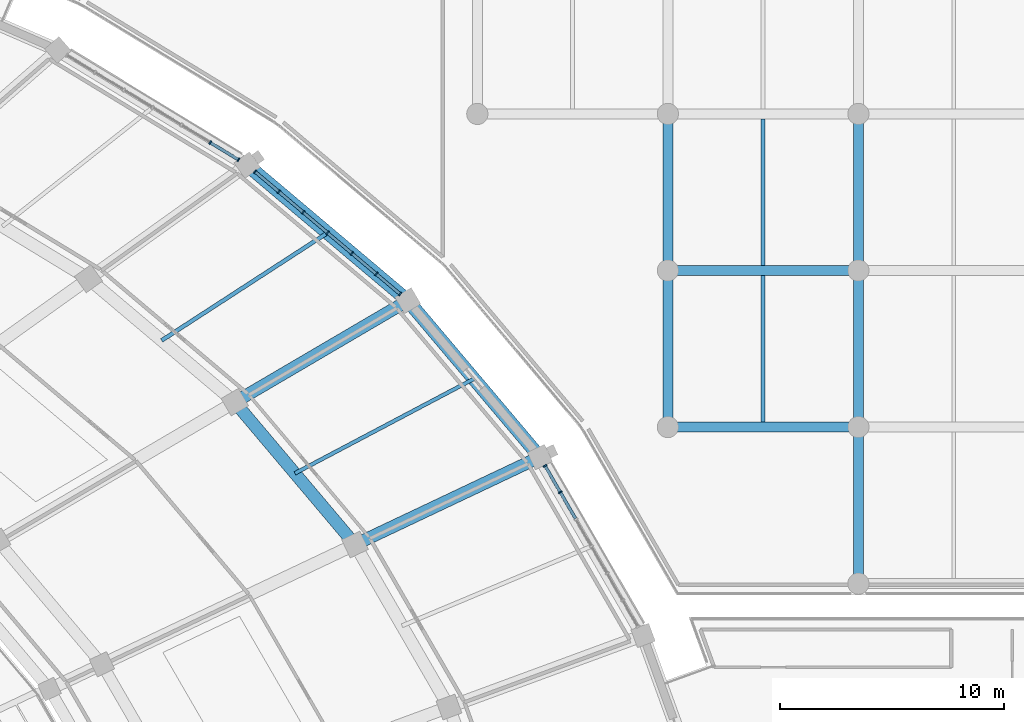
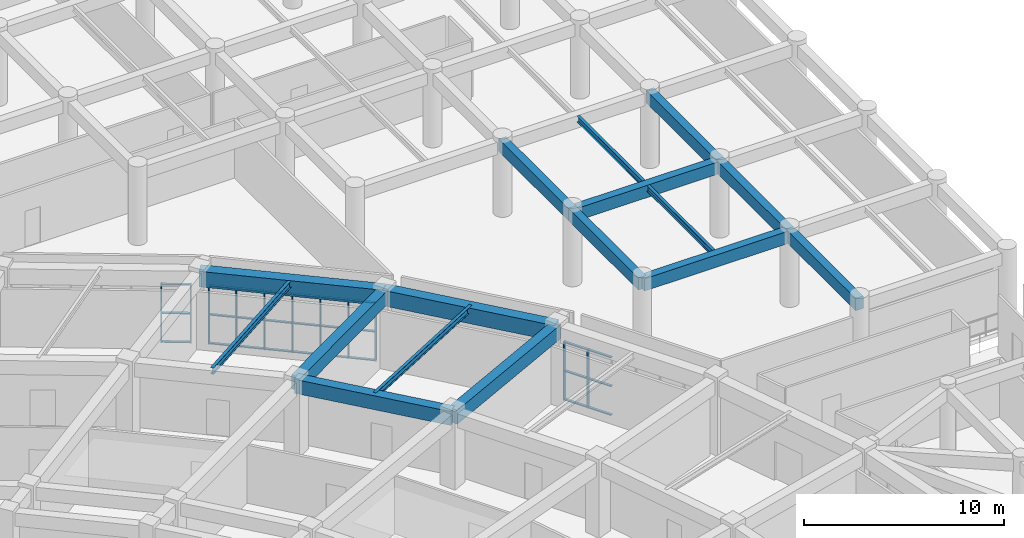
# One storey, part 75 of 152: 38 members, 16 beams, 3 elements without a shape of their own.
"""IFC4 building model written with IfcOpenShell, lengths in metres."""

from ifc_helpers import new_model, si_unit, direction, frame, origin, origin_2d, place, context, subcontext, project, spatial, rectangle, i_section, extrude, material, layer, layer_set, material_profile, profile_set, type_object, element, aggregate, save


model = new_model("IFC4")

# Units and contexts
model_context = context("Model", 3, precision=1e-05, world=origin(), true_north=direction((0.0, 1.0)))
body_context = subcontext(model_context, "Body", "Model", "MODEL_VIEW")
ifc_project = project(units=[si_unit("LENGTHUNIT", "METRE"), si_unit("AREAUNIT", "SQUARE_METRE"), si_unit("VOLUMEUNIT", "CUBIC_METRE"), si_unit("PLANEANGLEUNIT", "RADIAN"), si_unit("MASSUNIT", "GRAM", prefix="KILO")], contexts=[model_context])

# Site, building, storey
site_placement = place(None, origin())
site = spatial("IfcSite", under=ifc_project, at=site_placement, CompositionType="ELEMENT")
building_placement = place(site_placement, origin())
building = spatial("IfcBuilding", under=site, at=building_placement, Name="Mphavela Belvedere Stadium", CompositionType="ELEMENT")
storey_placement = place(building_placement, frame((0.0, 0.0, 5.39990234375)))
storey = spatial("IfcBuildingStorey", under=building, at=storey_placement, Name="L01", CompositionType="ELEMENT", Elevation=5.39990234375)

# Beams
ifc_material_1 = material(Name="Concrete C40/50", Category="concrete")
ifc_material_profile_1 = material_profile(ifc_material_1, rectangle(XDim=0.60009765625, YDim=0.949951171875, at=origin_2d()), Name="RC 600x950")
ifc_profile_set_1 = profile_set([ifc_material_profile_1], Name="Concrete C40/50")
beam_type_1 = type_object("IfcBeamType", Name="BM-ENTABLATURE-950", PredefinedType="SPANDREL", material=ifc_profile_set_1)
beam_1_placement = place(storey_placement, frame((207.242431640625, 130.66162109375, 4.0751953125), z_axis=(-0.645164552218, 0.764043650952, 0.0), x_axis=(-0.764043650952, -0.645164552218, 0.0)))
element("IfcBeam", 1, at=beam_1_placement, inside=storey, type_object=beam_type_1, Name="Circumferential girder L01 R4-05", PredefinedType="SPANDREL", context=body_context, shape_type="SweptSolid", body=[
    extrude(rectangle(XDim=0.60009765625, YDim=0.949951171875, at=origin_2d()), origin(), (0.0, 0.0, 1.0), 9.151123046875),
])
beam_2_placement = place(storey_placement, frame((201.33837890625, 137.653564453125, 4.0751953125), z_axis=(-0.76426547638, 0.644901761212, 0.0), x_axis=(-0.644901761212, -0.76426547638, 0.0)))
element("IfcBeam", 2, at=beam_2_placement, inside=storey, type_object=beam_type_1, Name="Circumferential girder L01 R4-06", PredefinedType="SPANDREL", context=body_context, shape_type="SweptSolid", body=[
    extrude(rectangle(XDim=0.60009765625, YDim=0.949951171875, at=origin_2d()), origin(), (0.0, 0.0, 1.0), 9.3984375),
])
ifc_material_2 = material(Name="Steel S355", Category="steel")
ifc_material_profile_2 = material_profile(ifc_material_2, i_section(OverallWidth=0.169921875, OverallDepth=0.360107421875, WebThickness=0.008056640625, FlangeThickness=0.0126953125, at=origin_2d()), Name="IPE 360")
ifc_profile_set_2 = profile_set([ifc_material_profile_2], Name="Steel S355")
beam_type_2 = type_object("IfcBeamType", Name="BM-JOIST-IPE360", PredefinedType="JOIST", material=ifc_profile_set_2)
beam_3_placement = place(storey_placement, frame((196.2880859375, 129.93115234375, 4.3701171875), z_axis=(0.884250771824, 0.467012390123, 0.0), x_axis=(-0.467012390123, 0.884250771824, 0.0)))
element("IfcBeam", 3, at=beam_3_placement, inside=storey, type_object=beam_type_2, Name="Concourse floor joist L01-05", PredefinedType="JOIST", context=body_context, shape_type="SweptSolid", body=[
    extrude(i_section(OverallWidth=0.169921875, OverallDepth=0.360107421875, WebThickness=0.008056640625, FlangeThickness=0.0126953125, at=origin_2d()), origin(), (0.0, 0.0, 1.0), 9.0498046875),
])
for number, where, z_axis, x_axis, name in (
    (4, (217.221923828125, 132.22509765625, 4.360107421875), (0.0, 1.0, 0.0), (-1.0, 0.0, 0.0), "North Mast and Ceremonial End Forecourt secondary joist L01 26-2"),
    (5, (217.221923828125, 139.22509765625, 4.360107421875), (0.0, 1.0, 0.0), (-1.0, 0.0, 0.0), "North Mast and Ceremonial End Forecourt secondary joist L01 26-3"),
):
    element("IfcBeam", number, at=place(storey_placement, frame(where, z_axis=z_axis, x_axis=x_axis)), inside=storey, type_object=beam_type_2, Name=name, PredefinedType="JOIST", context=body_context, shape_type="SweptSolid", body=[
        extrude(i_section(OverallWidth=0.169921875, OverallDepth=0.360107421875, WebThickness=0.008056640625, FlangeThickness=0.0126953125, at=origin_2d()), origin(), (0.0, 0.0, 1.0), 6.5498046875),
    ])
ifc_material_3 = material(Name="Steel S355", Category="steel")
ifc_material_profile_3 = material_profile(ifc_material_3, i_section(OverallWidth=0.179931640625, OverallDepth=0.39990234375, WebThickness=0.008544921875, FlangeThickness=0.013427734375, at=origin_2d()), Name="IPE 400")
ifc_profile_set_3 = profile_set([ifc_material_profile_3], Name="Steel S355")
beam_type_3 = type_object("IfcBeamType", Name="BM-JOIST-IPE400", PredefinedType="JOIST", material=ifc_profile_set_3)
beam_4_placement = place(storey_placement, frame((190.330810546875, 135.872802734375, 4.35009765625), z_axis=(0.838915278194, 0.544262028818, 0.0), x_axis=(-0.544262028818, 0.838915278194, 0.0)))
element("IfcBeam", 6, at=beam_4_placement, inside=storey, type_object=beam_type_3, Name="Concourse floor joist L01-06", PredefinedType="JOIST", context=body_context, shape_type="SweptSolid", body=[
    extrude(i_section(OverallWidth=0.179931640625, OverallDepth=0.39990234375, WebThickness=0.008544921875, FlangeThickness=0.013427734375, at=origin_2d()), origin(), (0.0, 0.0, 1.0), 8.840087890625),
])
ifc_material_4 = material(Name="Concrete C40/50", Category="concrete")
ifc_material_profile_4 = material_profile(ifc_material_4, rectangle(XDim=0.449951171875, YDim=0.75, at=origin_2d()), Name="RC 450x750")
ifc_profile_set_4 = profile_set([ifc_material_profile_4], Name="Concrete C40/50")
beam_type_4 = type_object("IfcBeamType", Name="BM-RC450x750", PredefinedType="BEAM", material=ifc_profile_set_4)
beam_5_placement = place(storey_placement, frame((212.962890625, 132.0, 4.1650390625), z_axis=(1.0, 0.0, 0.0), x_axis=(0.0, 1.0, 0.0)))
element("IfcBeam", 7, at=beam_5_placement, inside=storey, type_object=beam_type_4, Name="North Mast and Ceremonial End Forecourt entablature beam X L01 26-2", PredefinedType="BEAM", context=body_context, shape_type="SweptSolid", body=[
    extrude(rectangle(XDim=0.449951171875, YDim=0.75, at=origin_2d()), origin(), (0.0, 0.0, 1.0), 8.51806640625),
])
beam_6_placement = place(storey_placement, frame((212.962890625, 132.0, 4.1650390625), z_axis=(0.0, 1.0, 0.0), x_axis=(-1.0, 0.0, 0.0)))
element("IfcBeam", 8, at=beam_6_placement, inside=storey, type_object=beam_type_4, Name="North Mast and Ceremonial End Forecourt entablature beam Y L01 26-2", PredefinedType="BEAM", context=body_context, shape_type="SweptSolid", body=[
    extrude(rectangle(XDim=0.449951171875, YDim=0.75, at=origin_2d()), origin(), (0.0, 0.0, 1.0), 7.0),
])
beam_7_placement = place(storey_placement, frame((212.962890625, 139.0, 4.1650390625), z_axis=(1.0, 0.0, 0.0), x_axis=(0.0, 1.0, 0.0)))
element("IfcBeam", 9, at=beam_7_placement, inside=storey, type_object=beam_type_4, Name="North Mast and Ceremonial End Forecourt entablature beam X L01 26-3", PredefinedType="BEAM", context=body_context, shape_type="SweptSolid", body=[
    extrude(rectangle(XDim=0.449951171875, YDim=0.75, at=origin_2d()), origin(), (0.0, 0.0, 1.0), 8.51806640625),
])
for number, where, z_axis, x_axis, name in (
    (10, (212.962890625, 139.0, 4.1650390625), (0.0, 1.0, 0.0), (-1.0, 0.0, 0.0), "North Mast and Ceremonial End Forecourt entablature beam Y L01 26-3"),
    (11, (221.48095703125, 125.0, 4.1650390625), (0.0, 1.0, 0.0), (-1.0, 0.0, 0.0), "North Mast and Ceremonial End Forecourt entablature beam Y L01 27-1"),
    (12, (221.48095703125, 132.0, 4.1650390625), (0.0, 1.0, 0.0), (-1.0, 0.0, 0.0), "North Mast and Ceremonial End Forecourt entablature beam Y L01 27-2"),
    (13, (221.48095703125, 139.0, 4.1650390625), (0.0, 1.0, 0.0), (-1.0, 0.0, 0.0), "North Mast and Ceremonial End Forecourt entablature beam Y L01 27-3"),
):
    element("IfcBeam", number, at=place(storey_placement, frame(where, z_axis=z_axis, x_axis=x_axis)), inside=storey, type_object=beam_type_4, Name=name, PredefinedType="BEAM", context=body_context, shape_type="SweptSolid", body=[
        extrude(rectangle(XDim=0.449951171875, YDim=0.75, at=origin_2d()), origin(), (0.0, 0.0, 1.0), 7.0),
    ])
ifc_material_5 = material(Name="Concrete C40/50", Category="concrete")
ifc_material_profile_5 = material_profile(ifc_material_5, rectangle(XDim=0.550048828125, YDim=0.85009765625, at=origin_2d()), Name="RC 550x850")
ifc_profile_set_5 = profile_set([ifc_material_profile_5], Name="Concrete C40/50")
beam_type_5 = type_object("IfcBeamType", Name="BM-RC550x850", PredefinedType="BEAM", material=ifc_profile_set_5)
beam_8_placement = place(storey_placement, frame((198.9755859375, 126.748291015625, 4.125), z_axis=(-0.645177396673, 0.764032804808, 0.0), x_axis=(-0.764032804808, -0.645177396673, 0.0)))
element("IfcBeam", 14, at=beam_8_placement, inside=storey, type_object=beam_type_5, Name="Circumferential girder L01 R3-05", PredefinedType="BEAM", context=body_context, shape_type="SweptSolid", body=[
    extrude(rectangle(XDim=0.550048828125, YDim=0.85009765625, at=origin_2d()), origin(), (0.0, 0.0, 1.0), 8.331298828125),
])
beam_9_placement = place(storey_placement, frame((198.9755859375, 126.748291015625, 4.125), z_axis=(0.903845427073, 0.427859140325, 0.0), x_axis=(-0.427859140325, 0.903845427073, 0.0)))
element("IfcBeam", 15, at=beam_9_placement, inside=storey, type_object=beam_type_5, Name="Radial concourse girder L01 R3R4-05", PredefinedType="BEAM", context=body_context, shape_type="SweptSolid", body=[
    extrude(rectangle(XDim=0.550048828125, YDim=0.85009765625, at=origin_2d()), origin(), (0.0, 0.0, 1.0), 9.146240234375),
])
beam_10_placement = place(storey_placement, frame((193.600341796875, 133.11376953125, 4.125), z_axis=(0.862517779395, 0.506026758411, 0.0), x_axis=(-0.506026758411, 0.862517779395, 0.0)))
element("IfcBeam", 16, at=beam_10_placement, inside=storey, type_object=beam_type_5, Name="Radial concourse girder L01 R3R4-06", PredefinedType="BEAM", context=body_context, shape_type="SweptSolid", body=[
    extrude(rectangle(XDim=0.550048828125, YDim=0.85009765625, at=origin_2d()), origin(), (0.0, 0.0, 1.0), 8.971435546875),
])

# Curtain wall, members
ifc_material_6 = material(Name="Anodised bronze unitised curtain wall framing")
ifc_layer_1 = layer(ifc_material_6, 0.18505859375)
ifc_layer_set_1 = layer_set([ifc_layer_1], Name="Anodised bronze unitised curtain wall framing")
curtain_wall_type_1 = type_object("IfcCurtainWallType", Name="CW-UNIT-02", PredefinedType="USERDEFINED", material=ifc_layer_set_1)
curtain_wall_1_placement = place(storey_placement, origin())
curtain_wall_1 = element("IfcCurtainWall", 17, at=curtain_wall_1_placement, inside=storey, type_object=curtain_wall_type_1, Name="Belvedere colonnade curtain wall L01-04", ObjectType="UNITISED CURTAIN WALL", PredefinedType="USERDEFINED")
ifc_material_7 = material(Name="Anodised bronze extruded aluminium", Category="aluminium")
ifc_material_profile_6 = material_profile(ifc_material_7, rectangle(XDim=0.179931640625, YDim=0.06494140625, at=origin_2d()), Name="CW-MUL 180x65")
ifc_profile_set_6 = profile_set([ifc_material_profile_6], Name="Anodised bronze extruded aluminium")
member_type_1 = type_object("IfcMemberType", Name="CWM-180x65", PredefinedType="MULLION", material=ifc_profile_set_6)
member_1_placement = place(storey_placement, frame((208.152587890625, 129.08740234375, 0.0), z_axis=(0.0, 0.0, 1.0), x_axis=(-0.865701507229, -0.500560586125, 0.0)))
member_1 = element("IfcMember", 18, at=member_1_placement, type_object=member_type_1, Name="CW-02 mullion 6", PredefinedType="MULLION", context=body_context, shape_type="SweptSolid", body=[
    extrude(rectangle(XDim=0.179931640625, YDim=0.06494140625, at=origin_2d()), origin(), (0.0, 0.0, 1.0), 3.570068359375),
])
member_2_placement = place(storey_placement, frame((207.470458984375, 130.26708984375, 0.0), z_axis=(0.0, 0.0, 1.0), x_axis=(-0.865701507229, -0.500560586125, 0.0)))
member_2 = element("IfcMember", 19, at=member_2_placement, type_object=member_type_1, Name="CW-02 mullion 7", PredefinedType="MULLION", context=body_context, shape_type="SweptSolid", body=[
    extrude(rectangle(XDim=0.179931640625, YDim=0.06494140625, at=origin_2d()), origin(), (0.0, 0.0, 1.0), 3.570068359375),
])

ifc_material_8 = material(Name="Anodised bronze unitised curtain wall framing")
ifc_layer_2 = layer(ifc_material_8, 0.18994140625)
ifc_layer_set_2 = layer_set([ifc_layer_2], Name="Anodised bronze unitised curtain wall framing")
curtain_wall_type_2 = type_object("IfcCurtainWallType", Name="CW-UNIT-03", PredefinedType="USERDEFINED", material=ifc_layer_set_2)
curtain_wall_2_placement = place(storey_placement, origin())
curtain_wall_2 = element("IfcCurtainWall", 20, at=curtain_wall_2_placement, inside=storey, type_object=curtain_wall_type_2, Name="Belvedere colonnade curtain wall L01-06", ObjectType="UNITISED CURTAIN WALL", PredefinedType="USERDEFINED")
member_3_placement = place(storey_placement, frame((200.990234375, 137.947265625, 0.0), z_axis=(0.0, 0.0, 1.0), x_axis=(-0.644909572272, -0.76425888519, 0.0)))
member_3 = element("IfcMember", 21, at=member_3_placement, type_object=member_type_1, Name="CW-03 mullion 1", PredefinedType="MULLION", context=body_context, shape_type="SweptSolid", body=[
    extrude(rectangle(XDim=0.179931640625, YDim=0.06494140625, at=origin_2d()), origin(), (0.0, 0.0, 1.0), 3.570068359375),
])
member_4_placement = place(storey_placement, frame((199.925537109375, 138.845458984375, 0.0), z_axis=(0.0, 0.0, 1.0), x_axis=(-0.644909572272, -0.76425888519, 0.0)))
member_4 = element("IfcMember", 22, at=member_4_placement, type_object=member_type_1, Name="CW-03 mullion 2", PredefinedType="MULLION", context=body_context, shape_type="SweptSolid", body=[
    extrude(rectangle(XDim=0.179931640625, YDim=0.06494140625, at=origin_2d()), origin(), (0.0, 0.0, 1.0), 3.570068359375),
])
member_5_placement = place(storey_placement, frame((198.836181640625, 139.7646484375, 0.0), z_axis=(0.0, 0.0, 1.0), x_axis=(-0.644909572272, -0.76425888519, 0.0)))
member_5 = element("IfcMember", 23, at=member_5_placement, type_object=member_type_1, Name="CW-03 mullion 3", PredefinedType="MULLION", context=body_context, shape_type="SweptSolid", body=[
    extrude(rectangle(XDim=0.179931640625, YDim=0.06494140625, at=origin_2d()), origin(), (0.0, 0.0, 1.0), 3.570068359375),
])
member_6_placement = place(storey_placement, frame((197.7470703125, 140.68408203125, 0.0), z_axis=(0.0, 0.0, 1.0), x_axis=(-0.644909572272, -0.76425888519, 0.0)))
member_6 = element("IfcMember", 24, at=member_6_placement, type_object=member_type_1, Name="CW-03 mullion 4", PredefinedType="MULLION", context=body_context, shape_type="SweptSolid", body=[
    extrude(rectangle(XDim=0.179931640625, YDim=0.06494140625, at=origin_2d()), origin(), (0.0, 0.0, 1.0), 3.570068359375),
])
member_7_placement = place(storey_placement, frame((196.65771484375, 141.603271484375, 0.0), z_axis=(0.0, 0.0, 1.0), x_axis=(-0.644909572272, -0.76425888519, 0.0)))
member_7 = element("IfcMember", 25, at=member_7_placement, type_object=member_type_1, Name="CW-03 mullion 5", PredefinedType="MULLION", context=body_context, shape_type="SweptSolid", body=[
    extrude(rectangle(XDim=0.179931640625, YDim=0.06494140625, at=origin_2d()), origin(), (0.0, 0.0, 1.0), 3.570068359375),
])
member_8_placement = place(storey_placement, frame((195.568359375, 142.5224609375, 0.0), z_axis=(0.0, 0.0, 1.0), x_axis=(-0.644909572272, -0.76425888519, 0.0)))
member_8 = element("IfcMember", 26, at=member_8_placement, type_object=member_type_1, Name="CW-03 mullion 6", PredefinedType="MULLION", context=body_context, shape_type="SweptSolid", body=[
    extrude(rectangle(XDim=0.179931640625, YDim=0.06494140625, at=origin_2d()), origin(), (0.0, 0.0, 1.0), 3.570068359375),
])
member_9_placement = place(storey_placement, frame((194.503662109375, 143.420654296875, 0.0), z_axis=(0.0, 0.0, 1.0), x_axis=(-0.644909572272, -0.76425888519, 0.0)))
member_9 = element("IfcMember", 27, at=member_9_placement, type_object=member_type_1, Name="CW-03 mullion 7", PredefinedType="MULLION", context=body_context, shape_type="SweptSolid", body=[
    extrude(rectangle(XDim=0.179931640625, YDim=0.06494140625, at=origin_2d()), origin(), (0.0, 0.0, 1.0), 3.570068359375),
])

ifc_material_9 = material(Name="Anodised bronze unitised curtain wall framing")
ifc_layer_3 = layer(ifc_material_9, 0.195068359375)
ifc_layer_set_3 = layer_set([ifc_layer_3], Name="Anodised bronze unitised curtain wall framing")
curtain_wall_type_3 = type_object("IfcCurtainWallType", Name="CW-UNIT-04", PredefinedType="USERDEFINED", material=ifc_layer_set_3)
curtain_wall_3_placement = place(storey_placement, origin())
curtain_wall_3 = element("IfcCurtainWall", 28, at=curtain_wall_3_placement, inside=storey, type_object=curtain_wall_type_3, Name="Belvedere colonnade curtain wall L01-07", ObjectType="UNITISED CURTAIN WALL", PredefinedType="USERDEFINED")
member_10_placement = place(storey_placement, frame((193.766357421875, 143.951171875, 0.0), z_axis=(0.0, 0.0, 1.0), x_axis=(-0.51973463728, -0.8543277514, 0.0)))
member_10 = element("IfcMember", 29, at=member_10_placement, type_object=member_type_1, Name="CW-04 mullion 1", PredefinedType="MULLION", context=body_context, shape_type="SweptSolid", body=[
    extrude(rectangle(XDim=0.179931640625, YDim=0.06494140625, at=origin_2d()), origin(), (0.0, 0.0, 1.0), 3.570068359375),
])
member_11_placement = place(storey_placement, frame((192.5048828125, 144.71875, 0.0), z_axis=(0.0, 0.0, 1.0), x_axis=(-0.51973463728, -0.8543277514, 0.0)))
member_11 = element("IfcMember", 30, at=member_11_placement, type_object=member_type_1, Name="CW-04 mullion 2", PredefinedType="MULLION", context=body_context, shape_type="SweptSolid", body=[
    extrude(rectangle(XDim=0.179931640625, YDim=0.06494140625, at=origin_2d()), origin(), (0.0, 0.0, 1.0), 3.570068359375),
])

# Member
ifc_material_10 = material(Name="Anodised bronze extruded aluminium", Category="aluminium")
ifc_material_profile_7 = material_profile(ifc_material_10, rectangle(XDim=0.139892578125, YDim=0.06005859375, at=origin_2d()), Name="CW-TRN 140x60")
ifc_profile_set_7 = profile_set([ifc_material_profile_7], Name="Anodised bronze extruded aluminium")
member_type_2 = type_object("IfcMemberType", Name="CWT-140x60", PredefinedType="USERDEFINED", material=ifc_profile_set_7)
member_12_placement = place(storey_placement, frame((208.834716796875, 127.90771484375, 0.030029296875), z_axis=(-0.500500799875, 0.865736073711, 0.0), x_axis=(-0.865736073711, -0.500500799875, 0.0)))
member_12 = element("IfcMember", 31, at=member_12_placement, type_object=member_type_2, Name="CW-02 transom 5.1", ObjectType="TRANSOM", PredefinedType="USERDEFINED", context=body_context, shape_type="SweptSolid", body=[
    extrude(rectangle(XDim=0.139892578125, YDim=0.06005859375, at=origin_2d()), origin(), (0.0, 0.0, 1.0), 1.330322265625),
])

member_13_placement = place(storey_placement, frame((208.834716796875, 127.90771484375, 1.78515625), z_axis=(-0.500500799875, 0.865736073711, 0.0), x_axis=(-0.865736073711, -0.500500799875, 0.0)))
member_13 = element("IfcMember", 32, at=member_13_placement, type_object=member_type_2, Name="CW-02 transom 5.2", ObjectType="TRANSOM", PredefinedType="USERDEFINED", context=body_context, shape_type="SweptSolid", body=[
    extrude(rectangle(XDim=0.139892578125, YDim=0.06005859375, at=origin_2d()), origin(), (0.0, 0.0, 1.0), 1.330322265625),
])

member_14_placement = place(storey_placement, frame((208.834716796875, 127.90771484375, 3.5400390625), z_axis=(-0.500500799875, 0.865736073711, 0.0), x_axis=(-0.865736073711, -0.500500799875, 0.0)))
member_14 = element("IfcMember", 33, at=member_14_placement, type_object=member_type_2, Name="CW-02 transom 5.3", ObjectType="TRANSOM", PredefinedType="USERDEFINED", context=body_context, shape_type="SweptSolid", body=[
    extrude(rectangle(XDim=0.139892578125, YDim=0.06005859375, at=origin_2d()), origin(), (0.0, 0.0, 1.0), 1.330322265625),
])

member_15_placement = place(storey_placement, frame((208.13623046875, 129.11572265625, 0.030029296875), z_axis=(-0.500509559837, 0.865731009328, 0.0), x_axis=(-0.865731009328, -0.500509559837, 0.0)))
member_15 = element("IfcMember", 34, at=member_15_placement, type_object=member_type_2, Name="CW-02 transom 6.1", ObjectType="TRANSOM", PredefinedType="USERDEFINED", context=body_context, shape_type="SweptSolid", body=[
    extrude(rectangle(XDim=0.139892578125, YDim=0.06005859375, at=origin_2d()), origin(), (0.0, 0.0, 1.0), 1.297607421875),
])

member_16_placement = place(storey_placement, frame((208.13623046875, 129.11572265625, 1.78515625), z_axis=(-0.500509559837, 0.865731009328, 0.0), x_axis=(-0.865731009328, -0.500509559837, 0.0)))
member_16 = element("IfcMember", 35, at=member_16_placement, type_object=member_type_2, Name="CW-02 transom 6.2", ObjectType="TRANSOM", PredefinedType="USERDEFINED", context=body_context, shape_type="SweptSolid", body=[
    extrude(rectangle(XDim=0.139892578125, YDim=0.06005859375, at=origin_2d()), origin(), (0.0, 0.0, 1.0), 1.297607421875),
])

member_17_placement = place(storey_placement, frame((208.13623046875, 129.11572265625, 3.5400390625), z_axis=(-0.500509559837, 0.865731009328, 0.0), x_axis=(-0.865731009328, -0.500509559837, 0.0)))
member_17 = element("IfcMember", 36, at=member_17_placement, type_object=member_type_2, Name="CW-02 transom 6.3", ObjectType="TRANSOM", PredefinedType="USERDEFINED", context=body_context, shape_type="SweptSolid", body=[
    extrude(rectangle(XDim=0.139892578125, YDim=0.06005859375, at=origin_2d()), origin(), (0.0, 0.0, 1.0), 1.297607421875),
])

aggregate(curtain_wall_1, [member_1, member_2, member_12, member_13, member_14, member_15, member_16, member_17])

member_18_placement = place(storey_placement, frame((200.96533203125, 137.96826171875, 0.030029296875), z_axis=(-0.764333961041, 0.644820592103, 0.0), x_axis=(-0.644820592103, -0.764333961041, 0.0)))
member_18 = element("IfcMember", 37, at=member_18_placement, type_object=member_type_2, Name="CW-03 transom 1.1", ObjectType="TRANSOM", PredefinedType="USERDEFINED", context=body_context, shape_type="SweptSolid", body=[
    extrude(rectangle(XDim=0.139892578125, YDim=0.06005859375, at=origin_2d()), origin(), (0.0, 0.0, 1.0), 1.327880859375),
])

member_19_placement = place(storey_placement, frame((200.96533203125, 137.96826171875, 1.78515625), z_axis=(-0.764333961041, 0.644820592103, 0.0), x_axis=(-0.644820592103, -0.764333961041, 0.0)))
member_19 = element("IfcMember", 38, at=member_19_placement, type_object=member_type_2, Name="CW-03 transom 1.2", ObjectType="TRANSOM", PredefinedType="USERDEFINED", context=body_context, shape_type="SweptSolid", body=[
    extrude(rectangle(XDim=0.139892578125, YDim=0.06005859375, at=origin_2d()), origin(), (0.0, 0.0, 1.0), 1.327880859375),
])

member_20_placement = place(storey_placement, frame((200.96533203125, 137.96826171875, 3.5400390625), z_axis=(-0.764333961041, 0.644820592103, 0.0), x_axis=(-0.644820592103, -0.764333961041, 0.0)))
member_20 = element("IfcMember", 39, at=member_20_placement, type_object=member_type_2, Name="CW-03 transom 1.3", ObjectType="TRANSOM", PredefinedType="USERDEFINED", context=body_context, shape_type="SweptSolid", body=[
    extrude(rectangle(XDim=0.139892578125, YDim=0.06005859375, at=origin_2d()), origin(), (0.0, 0.0, 1.0), 1.327880859375),
])

member_21_placement = place(storey_placement, frame((199.90087890625, 138.866455078125, 0.030029296875), z_axis=(-0.764250024637, 0.644920072445, 0.0), x_axis=(-0.644920072445, -0.764250024637, 0.0)))
member_21 = element("IfcMember", 40, at=member_21_placement, type_object=member_type_2, Name="CW-03 transom 2.1", ObjectType="TRANSOM", PredefinedType="USERDEFINED", context=body_context, shape_type="SweptSolid", body=[
    extrude(rectangle(XDim=0.139892578125, YDim=0.06005859375, at=origin_2d()), origin(), (0.0, 0.0, 1.0), 1.360595703125),
])

member_22_placement = place(storey_placement, frame((199.90087890625, 138.866455078125, 1.78515625), z_axis=(-0.764250024637, 0.644920072445, 0.0), x_axis=(-0.644920072445, -0.764250024637, 0.0)))
member_22 = element("IfcMember", 41, at=member_22_placement, type_object=member_type_2, Name="CW-03 transom 2.2", ObjectType="TRANSOM", PredefinedType="USERDEFINED", context=body_context, shape_type="SweptSolid", body=[
    extrude(rectangle(XDim=0.139892578125, YDim=0.06005859375, at=origin_2d()), origin(), (0.0, 0.0, 1.0), 1.360595703125),
])

member_23_placement = place(storey_placement, frame((199.90087890625, 138.866455078125, 3.5400390625), z_axis=(-0.764250024637, 0.644920072445, 0.0), x_axis=(-0.644920072445, -0.764250024637, 0.0)))
member_23 = element("IfcMember", 42, at=member_23_placement, type_object=member_type_2, Name="CW-03 transom 2.3", ObjectType="TRANSOM", PredefinedType="USERDEFINED", context=body_context, shape_type="SweptSolid", body=[
    extrude(rectangle(XDim=0.139892578125, YDim=0.06005859375, at=origin_2d()), origin(), (0.0, 0.0, 1.0), 1.360595703125),
])

member_24_placement = place(storey_placement, frame((198.8115234375, 139.78564453125, 0.030029296875), z_axis=(-0.764250024637, 0.644920072445, 0.0), x_axis=(-0.644920072445, -0.764250024637, 0.0)))
member_24 = element("IfcMember", 43, at=member_24_placement, type_object=member_type_2, Name="CW-03 transom 3.1", ObjectType="TRANSOM", PredefinedType="USERDEFINED", context=body_context, shape_type="SweptSolid", body=[
    extrude(rectangle(XDim=0.139892578125, YDim=0.06005859375, at=origin_2d()), origin(), (0.0, 0.0, 1.0), 1.360595703125),
])

member_25_placement = place(storey_placement, frame((198.8115234375, 139.78564453125, 1.78515625), z_axis=(-0.764250024637, 0.644920072445, 0.0), x_axis=(-0.644920072445, -0.764250024637, 0.0)))
member_25 = element("IfcMember", 44, at=member_25_placement, type_object=member_type_2, Name="CW-03 transom 3.2", ObjectType="TRANSOM", PredefinedType="USERDEFINED", context=body_context, shape_type="SweptSolid", body=[
    extrude(rectangle(XDim=0.139892578125, YDim=0.06005859375, at=origin_2d()), origin(), (0.0, 0.0, 1.0), 1.360595703125),
])

member_26_placement = place(storey_placement, frame((198.8115234375, 139.78564453125, 3.5400390625), z_axis=(-0.764250024637, 0.644920072445, 0.0), x_axis=(-0.644920072445, -0.764250024637, 0.0)))
member_26 = element("IfcMember", 45, at=member_26_placement, type_object=member_type_2, Name="CW-03 transom 3.3", ObjectType="TRANSOM", PredefinedType="USERDEFINED", context=body_context, shape_type="SweptSolid", body=[
    extrude(rectangle(XDim=0.139892578125, YDim=0.06005859375, at=origin_2d()), origin(), (0.0, 0.0, 1.0), 1.360595703125),
])

member_27_placement = place(storey_placement, frame((197.72216796875, 140.705078125, 0.030029296875), z_axis=(-0.764338471847, 0.644815245209, 0.0), x_axis=(-0.644815245209, -0.764338471847, 0.0)))
member_27 = element("IfcMember", 46, at=member_27_placement, type_object=member_type_2, Name="CW-03 transom 4.1", ObjectType="TRANSOM", PredefinedType="USERDEFINED", context=body_context, shape_type="SweptSolid", body=[
    extrude(rectangle(XDim=0.139892578125, YDim=0.06005859375, at=origin_2d()), origin(), (0.0, 0.0, 1.0), 1.3603515625),
])

member_28_placement = place(storey_placement, frame((197.72216796875, 140.705078125, 1.78515625), z_axis=(-0.764338471847, 0.644815245209, 0.0), x_axis=(-0.644815245209, -0.764338471847, 0.0)))
member_28 = element("IfcMember", 47, at=member_28_placement, type_object=member_type_2, Name="CW-03 transom 4.2", ObjectType="TRANSOM", PredefinedType="USERDEFINED", context=body_context, shape_type="SweptSolid", body=[
    extrude(rectangle(XDim=0.139892578125, YDim=0.06005859375, at=origin_2d()), origin(), (0.0, 0.0, 1.0), 1.3603515625),
])

member_29_placement = place(storey_placement, frame((197.72216796875, 140.705078125, 3.5400390625), z_axis=(-0.764338471847, 0.644815245209, 0.0), x_axis=(-0.644815245209, -0.764338471847, 0.0)))
member_29 = element("IfcMember", 48, at=member_29_placement, type_object=member_type_2, Name="CW-03 transom 4.3", ObjectType="TRANSOM", PredefinedType="USERDEFINED", context=body_context, shape_type="SweptSolid", body=[
    extrude(rectangle(XDim=0.139892578125, YDim=0.06005859375, at=origin_2d()), origin(), (0.0, 0.0, 1.0), 1.3603515625),
])

member_30_placement = place(storey_placement, frame((196.6328125, 141.624267578125, 0.030029296875), z_axis=(-0.764338471847, 0.644815245209, 0.0), x_axis=(-0.644815245209, -0.764338471847, 0.0)))
member_30 = element("IfcMember", 49, at=member_30_placement, type_object=member_type_2, Name="CW-03 transom 5.1", ObjectType="TRANSOM", PredefinedType="USERDEFINED", context=body_context, shape_type="SweptSolid", body=[
    extrude(rectangle(XDim=0.139892578125, YDim=0.06005859375, at=origin_2d()), origin(), (0.0, 0.0, 1.0), 1.3603515625),
])

member_31_placement = place(storey_placement, frame((196.6328125, 141.624267578125, 1.78515625), z_axis=(-0.764338471847, 0.644815245209, 0.0), x_axis=(-0.644815245209, -0.764338471847, 0.0)))
member_31 = element("IfcMember", 50, at=member_31_placement, type_object=member_type_2, Name="CW-03 transom 5.2", ObjectType="TRANSOM", PredefinedType="USERDEFINED", context=body_context, shape_type="SweptSolid", body=[
    extrude(rectangle(XDim=0.139892578125, YDim=0.06005859375, at=origin_2d()), origin(), (0.0, 0.0, 1.0), 1.3603515625),
])

member_32_placement = place(storey_placement, frame((196.6328125, 141.624267578125, 3.5400390625), z_axis=(-0.764338471847, 0.644815245209, 0.0), x_axis=(-0.644815245209, -0.764338471847, 0.0)))
member_32 = element("IfcMember", 51, at=member_32_placement, type_object=member_type_2, Name="CW-03 transom 5.3", ObjectType="TRANSOM", PredefinedType="USERDEFINED", context=body_context, shape_type="SweptSolid", body=[
    extrude(rectangle(XDim=0.139892578125, YDim=0.06005859375, at=origin_2d()), origin(), (0.0, 0.0, 1.0), 1.3603515625),
])

member_33_placement = place(storey_placement, frame((195.54345703125, 142.54345703125, 0.030029296875), z_axis=(-0.764243344003, 0.644927989118, 0.0), x_axis=(-0.644927989118, -0.764243344003, 0.0)))
member_33 = element("IfcMember", 52, at=member_33_placement, type_object=member_type_2, Name="CW-03 transom 6.1", ObjectType="TRANSOM", PredefinedType="USERDEFINED", context=body_context, shape_type="SweptSolid", body=[
    extrude(rectangle(XDim=0.139892578125, YDim=0.06005859375, at=origin_2d()), origin(), (0.0, 0.0, 1.0), 1.327880859375),
])

member_34_placement = place(storey_placement, frame((195.54345703125, 142.54345703125, 1.78515625), z_axis=(-0.764243344003, 0.644927989118, 0.0), x_axis=(-0.644927989118, -0.764243344003, 0.0)))
member_34 = element("IfcMember", 53, at=member_34_placement, type_object=member_type_2, Name="CW-03 transom 6.2", ObjectType="TRANSOM", PredefinedType="USERDEFINED", context=body_context, shape_type="SweptSolid", body=[
    extrude(rectangle(XDim=0.139892578125, YDim=0.06005859375, at=origin_2d()), origin(), (0.0, 0.0, 1.0), 1.327880859375),
])

member_35_placement = place(storey_placement, frame((195.54345703125, 142.54345703125, 3.5400390625), z_axis=(-0.764243344003, 0.644927989118, 0.0), x_axis=(-0.644927989118, -0.764243344003, 0.0)))
member_35 = element("IfcMember", 54, at=member_35_placement, type_object=member_type_2, Name="CW-03 transom 6.3", ObjectType="TRANSOM", PredefinedType="USERDEFINED", context=body_context, shape_type="SweptSolid", body=[
    extrude(rectangle(XDim=0.139892578125, YDim=0.06005859375, at=origin_2d()), origin(), (0.0, 0.0, 1.0), 1.327880859375),
])

aggregate(curtain_wall_2, [member_3, member_4, member_5, member_6, member_7, member_8, member_9, member_18, member_19, member_20, member_21, member_22, member_23, member_24, member_25, member_26, member_27, member_28, member_29, member_30, member_31, member_32, member_33, member_34, member_35])

member_36_placement = place(storey_placement, frame((193.73876953125, 143.96826171875, 0.030029296875), z_axis=(-0.854395503331, 0.519623251874, 0.0), x_axis=(-0.519623251874, -0.854395503331, 0.0)))
member_36 = element("IfcMember", 55, at=member_36_placement, type_object=member_type_2, Name="CW-04 transom 1.1", ObjectType="TRANSOM", PredefinedType="USERDEFINED", context=body_context, shape_type="SweptSolid", body=[
    extrude(rectangle(XDim=0.139892578125, YDim=0.06005859375, at=origin_2d()), origin(), (0.0, 0.0, 1.0), 1.411865234375),
])

member_37_placement = place(storey_placement, frame((193.73876953125, 143.96826171875, 1.78515625), z_axis=(-0.854395503331, 0.519623251874, 0.0), x_axis=(-0.519623251874, -0.854395503331, 0.0)))
member_37 = element("IfcMember", 56, at=member_37_placement, type_object=member_type_2, Name="CW-04 transom 1.2", ObjectType="TRANSOM", PredefinedType="USERDEFINED", context=body_context, shape_type="SweptSolid", body=[
    extrude(rectangle(XDim=0.139892578125, YDim=0.06005859375, at=origin_2d()), origin(), (0.0, 0.0, 1.0), 1.411865234375),
])

member_38_placement = place(storey_placement, frame((193.73876953125, 143.96826171875, 3.5400390625), z_axis=(-0.854395503331, 0.519623251874, 0.0), x_axis=(-0.519623251874, -0.854395503331, 0.0)))
member_38 = element("IfcMember", 57, at=member_38_placement, type_object=member_type_2, Name="CW-04 transom 1.3", ObjectType="TRANSOM", PredefinedType="USERDEFINED", context=body_context, shape_type="SweptSolid", body=[
    extrude(rectangle(XDim=0.139892578125, YDim=0.06005859375, at=origin_2d()), origin(), (0.0, 0.0, 1.0), 1.411865234375),
])

aggregate(curtain_wall_3, [member_10, member_11, member_36, member_37, member_38])

save(model, "model.ifc")
